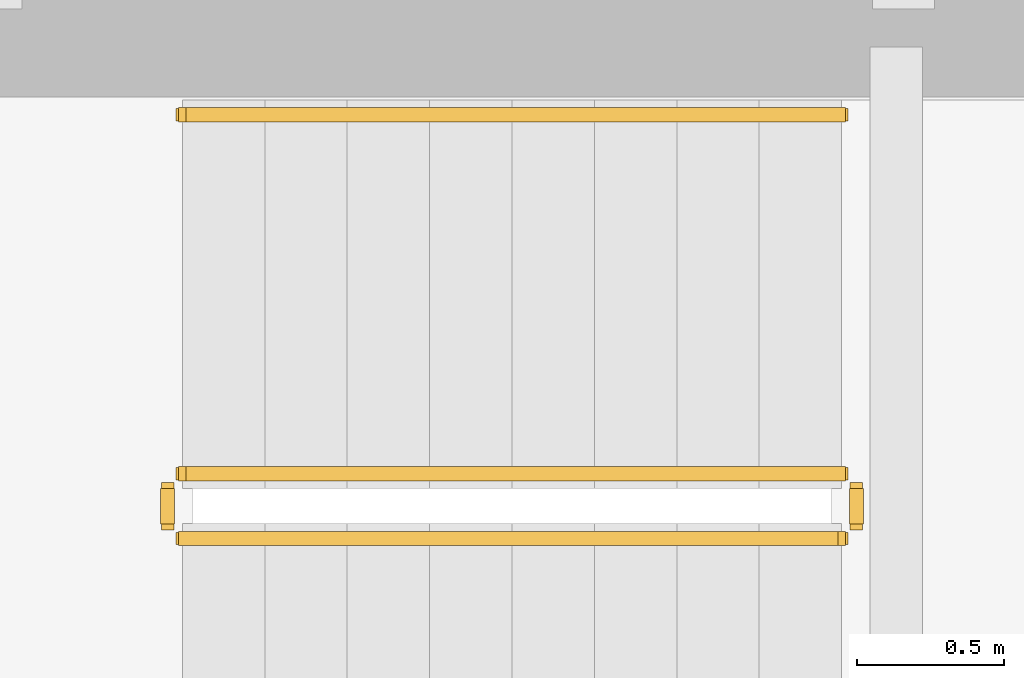
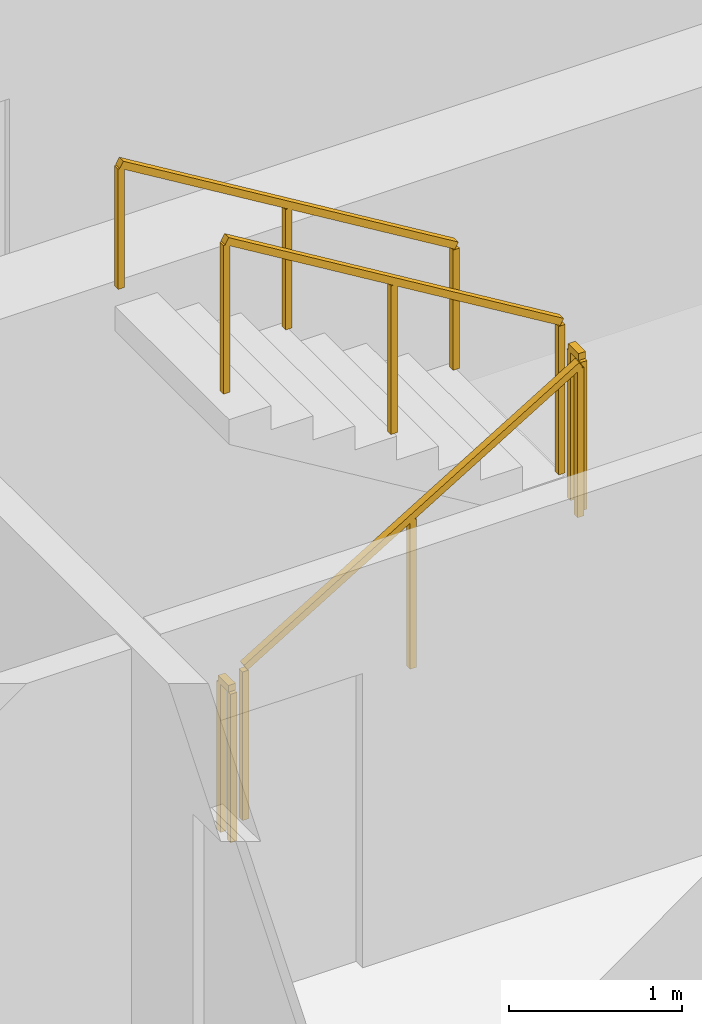
# One storey, part 15 of 17: 5 railings.
"""IFC4 building model written with IfcOpenShell, lengths in metres."""

from ifc_helpers import new_model, si_unit, direction, frame, origin, origin_2d, place, context, subcontext, project, spatial, rectangle, extrude, material, type_object, element, save


model = new_model("IFC4")

# Units and contexts
model_context = context("Model", 3, precision=1e-05, world=origin(), true_north=direction((0.0, 1.0)))
body_context = subcontext(model_context, "Body", "Model", "MODEL_VIEW")
ifc_project = project(units=[si_unit("LENGTHUNIT", "METRE"), si_unit("AREAUNIT", "SQUARE_METRE"), si_unit("VOLUMEUNIT", "CUBIC_METRE"), si_unit("PLANEANGLEUNIT", "RADIAN"), si_unit("MASSUNIT", "GRAM", prefix="KILO")], contexts=[model_context])

# Site, building, storey
site_placement = place(None, origin())
site = spatial("IfcSite", under=ifc_project, at=site_placement, CompositionType="ELEMENT")
building_placement = place(site_placement, origin())
building = spatial("IfcBuilding", under=site, at=building_placement, Name="Qhalaya Broadcast Tower", CompositionType="ELEMENT")
storey_placement = place(building_placement, frame((0.0, 0.0, 26.10009765625)))
storey = spatial("IfcBuildingStorey", under=building, at=storey_placement, Name="L06", CompositionType="ELEMENT", Elevation=26.10009765625)

# Railings
ifc_material = material(Name="Powder-Coated Galvanised Steel", Category="steel")
railing_type_1 = type_object("IfcRailingType", Name="Stair Wall Handrail 900", PredefinedType="HANDRAIL", material=ifc_material)
railing_1_placement = place(storey_placement, frame((5.989990234375, 9.590087890625, 1.6943359375)))
element("IfcRailing", 1, at=railing_1_placement, inside=storey, type_object=railing_type_1, Name="L06 ST-1 Stair Handrail 2", PredefinedType="HANDRAIL", context=body_context, shape_type="SweptSolid", body=[
    extrude(rectangle(XDim=0.048095703125, YDim=0.048095703125, at=origin_2d()), frame((0.0, 0.0, 0.8759765625), z_axis=(-0.855553338991, 0.0, 0.51771467445), x_axis=(0.0, -1.0, 0.0)), (0.0, 0.0, 1.0), 2.6181640625),
    extrude(rectangle(XDim=0.0419921875, YDim=0.0419921875, at=origin_2d()), origin(), (0.0, 0.0, 1.0), 0.849853515625),
    extrude(rectangle(XDim=0.0419921875, YDim=0.0419921875, at=origin_2d()), frame((-1.1201171875, 0.0, 0.677734375)), (0.0, 0.0, 1.0), 0.849853515625),
    extrude(rectangle(XDim=0.0419921875, YDim=0.0419921875, at=origin_2d()), frame((-2.239990234375, 0.0, 1.35546875)), (0.0, 0.0, 1.0), 0.849853515625),
])
railing_type_2 = type_object("IfcRailingType", Name="Stair Well & Landing Guardrail 1100", PredefinedType="GUARDRAIL", material=ifc_material)
railing_2_placement = place(storey_placement, frame((3.75, 8.14990234375, 0.16943359375)))
element("IfcRailing", 2, at=railing_2_placement, inside=storey, type_object=railing_type_2, Name="L06 ST-1 Stair Guard 1", PredefinedType="GUARDRAIL", context=body_context, shape_type="SweptSolid", body=[
    extrude(rectangle(XDim=0.048095703125, YDim=0.048095703125, at=origin_2d()), frame((0.0, 0.0, 1.076171875), z_axis=(0.855553338991, 0.0, 0.51771467445), x_axis=(0.0, 1.0, 0.0)), (0.0, 0.0, 1.0), 2.6181640625),
    extrude(rectangle(XDim=0.0419921875, YDim=0.0419921875, at=origin_2d()), origin(), (0.0, 0.0, 1.0), 1.050048828125),
    extrude(rectangle(XDim=0.0419921875, YDim=0.0419921875, at=origin_2d()), frame((1.1201171875, 0.0, 0.677734375)), (0.0, 0.0, 1.0), 1.050048828125),
    extrude(rectangle(XDim=0.0419921875, YDim=0.0419921875, at=origin_2d()), frame((2.239990234375, 0.0, 1.35546875)), (0.0, 0.0, 1.0), 1.050048828125),
])
railing_3_placement = place(storey_placement, frame((6.0400390625, 8.199951171875, 1.52490234375)))
element("IfcRailing", 3, at=railing_3_placement, inside=storey, type_object=railing_type_2, Name="L06 ST-1 Stair Guard 2", PredefinedType="GUARDRAIL", context=body_context, shape_type="SweptSolid", body=[
    extrude(rectangle(XDim=0.048095703125, YDim=0.048095703125, at=origin_2d()), frame((0.0, 0.0, 1.076171875), z_axis=(0.0, 1.0, 0.0), x_axis=(-1.0, 0.0, 0.0)), (0.0, 0.0, 1.0), 0.1201171875),
    extrude(rectangle(XDim=0.0419921875, YDim=0.0419921875, at=origin_2d()), origin(), (0.0, 0.0, 1.0), 1.050048828125),
    extrude(rectangle(XDim=0.0419921875, YDim=0.0419921875, at=origin_2d()), frame((0.0, 0.1201171875, 0.0)), (0.0, 0.0, 1.0), 1.050048828125),
])
railing_4_placement = place(storey_placement, frame((5.989990234375, 8.3701171875, 1.6943359375)))
element("IfcRailing", 4, at=railing_4_placement, inside=storey, type_object=railing_type_2, Name="L06 ST-1 Stair Guard 3", PredefinedType="GUARDRAIL", context=body_context, shape_type="SweptSolid", body=[
    extrude(rectangle(XDim=0.048095703125, YDim=0.048095703125, at=origin_2d()), frame((0.0, 0.0, 1.076171875), z_axis=(-0.855553338991, 0.0, 0.51771467445), x_axis=(0.0, -1.0, 0.0)), (0.0, 0.0, 1.0), 2.6181640625),
    extrude(rectangle(XDim=0.0419921875, YDim=0.0419921875, at=origin_2d()), origin(), (0.0, 0.0, 1.0), 1.050048828125),
    extrude(rectangle(XDim=0.0419921875, YDim=0.0419921875, at=origin_2d()), frame((-1.1201171875, 0.0, 0.677734375)), (0.0, 0.0, 1.0), 1.050048828125),
    extrude(rectangle(XDim=0.0419921875, YDim=0.0419921875, at=origin_2d()), frame((-2.239990234375, 0.0, 1.35546875)), (0.0, 0.0, 1.0), 1.050048828125),
])
railing_5_placement = place(storey_placement, frame((3.699951171875, 8.199951171875, 0.0)))
element("IfcRailing", 5, at=railing_5_placement, inside=storey, type_object=railing_type_2, Name="L06 ST-1 Stair Guard 4", PredefinedType="GUARDRAIL", context=body_context, shape_type="SweptSolid", body=[
    extrude(rectangle(XDim=0.048095703125, YDim=0.048095703125, at=origin_2d()), frame((0.0, 0.0, 1.076171875), z_axis=(0.0, 1.0, 0.0), x_axis=(-1.0, 0.0, 0.0)), (0.0, 0.0, 1.0), 0.1201171875),
    extrude(rectangle(XDim=0.0419921875, YDim=0.0419921875, at=origin_2d()), origin(), (0.0, 0.0, 1.0), 1.050048828125),
    extrude(rectangle(XDim=0.0419921875, YDim=0.0419921875, at=origin_2d()), frame((0.0, 0.1201171875, 0.0)), (0.0, 0.0, 1.0), 1.050048828125),
])

save(model, "model.ifc")
